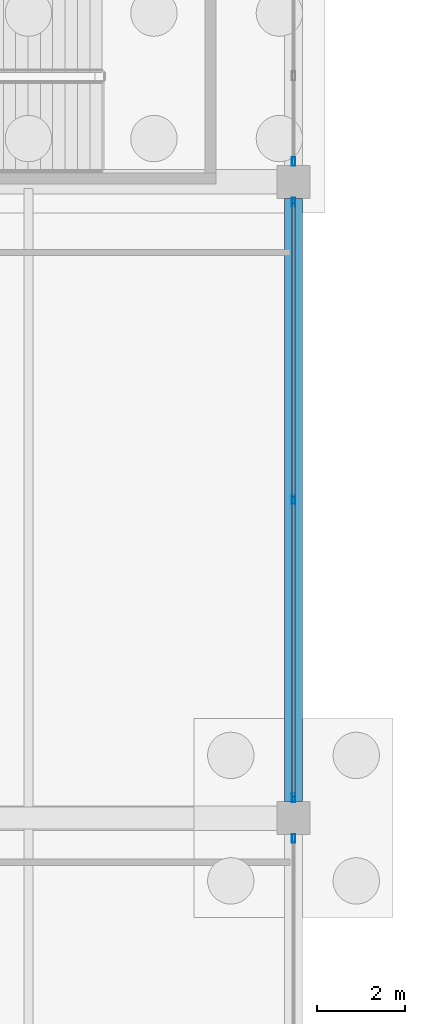
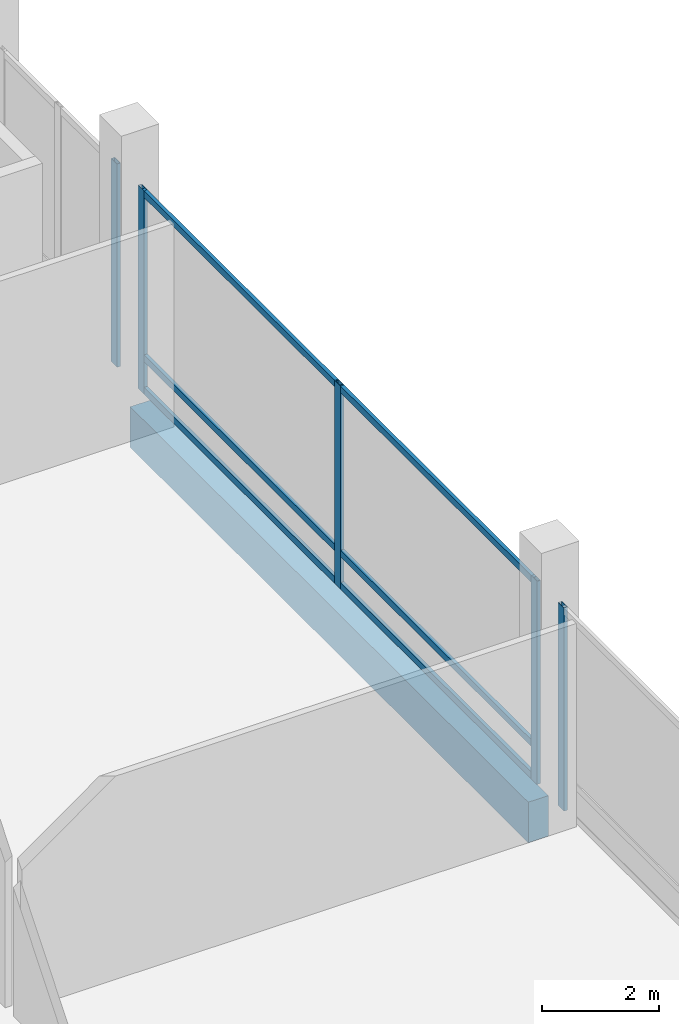
# One storey, part 113 of 192: 11 members, 1 beam, 3 elements without a shape of their own.
"""IFC4 building model written with IfcOpenShell, lengths in metres."""

from ifc_helpers import new_model, si_unit, direction, frame, origin, origin_2d, place, context, subcontext, project, spatial, rectangle, hollow_rectangle, extrude, material, material_profile, profile_set, type_object, element, aggregate, save


model = new_model("IFC4")

# Units and contexts
model_context = context("Model", 3, precision=1e-05, world=origin(), true_north=direction((0.0, 1.0)))
body_context = subcontext(model_context, "Body", "Model", "MODEL_VIEW")
ifc_project = project(units=[si_unit("LENGTHUNIT", "METRE"), si_unit("AREAUNIT", "SQUARE_METRE"), si_unit("VOLUMEUNIT", "CUBIC_METRE"), si_unit("PLANEANGLEUNIT", "RADIAN"), si_unit("MASSUNIT", "GRAM", prefix="KILO")], contexts=[model_context])

# Site, building, storey
site_placement = place(None, origin())
site = spatial("IfcSite", under=ifc_project, at=site_placement, CompositionType="ELEMENT")
building_placement = place(site_placement, origin())
building = spatial("IfcBuilding", under=site, at=building_placement, Name="Cendralis Lancet Convention Centre", CompositionType="ELEMENT")
storey_placement = place(building_placement, origin())
storey = spatial("IfcBuildingStorey", under=building, at=storey_placement, Name="L00", CompositionType="ELEMENT", Elevation=0.0)

# Curtain wall, member
ifc_material_1 = material(Name="Anodised bronze architectural aluminium", Category="aluminium")
curtain_wall_type = type_object("IfcCurtainWallType", Name="ARC-CW-PL01", PredefinedType="USERDEFINED", material=ifc_material_1)
curtain_wall_1_placement = place(storey_placement, origin())
curtain_wall_1 = element("IfcCurtainWall", 1, at=curtain_wall_1_placement, inside=storey, type_object=curtain_wall_type, Name="L00 Curtain Wall CW-PL1 #113", ObjectType="CURTAIN WALL", PredefinedType="USERDEFINED")
ifc_material_profile_1 = material_profile(ifc_material_1, hollow_rectangle(XDim=0.070068359375, YDim=0.199951171875, WallThickness=0.0048828125, at=origin_2d()), Name="AL-MULL 70x200x5.0")
ifc_profile_set_1 = profile_set([ifc_material_profile_1], Name="Anodised bronze architectural aluminium")
member_type_1 = type_object("IfcMemberType", Name="ARC-CW-ML02", PredefinedType="MULLION", material=ifc_profile_set_1)
member_1_placement = place(storey_placement, frame((208.800048828125, 64.340087890625, 0.0), z_axis=(0.0, 0.0, 1.0), x_axis=(1.0, 0.0, 0.0)))
member_1 = element("IfcMember", 2, at=member_1_placement, type_object=member_type_1, Name="Mullion CW2-CW-PL1-L00-113-M0", PredefinedType="MULLION", context=body_context, shape_type="SweptSolid", body=[
    extrude(hollow_rectangle(XDim=0.070068359375, YDim=0.199951171875, WallThickness=0.0048828125, at=origin_2d()), origin(), (0.0, 0.0, 1.0), 4.2548828125),
])
aggregate(curtain_wall_1, [member_1])

# Curtain wall, members
curtain_wall_2_placement = place(storey_placement, origin())
curtain_wall_2 = element("IfcCurtainWall", 3, at=curtain_wall_2_placement, inside=storey, type_object=curtain_wall_type, Name="L00 Curtain Wall CW-PL1 #114", ObjectType="CURTAIN WALL", PredefinedType="USERDEFINED")
member_2_placement = place(storey_placement, frame((208.800048828125, 78.739990234375, 0.0), z_axis=(0.0, 0.0, 1.0), x_axis=(1.0, 0.0, 0.0)))
member_2 = element("IfcMember", 4, at=member_2_placement, type_object=member_type_1, Name="Mullion CW2-CW-PL1-L00-114-M0", PredefinedType="MULLION", context=body_context, shape_type="SweptSolid", body=[
    extrude(hollow_rectangle(XDim=0.070068359375, YDim=0.199951171875, WallThickness=0.0048828125, at=origin_2d()), origin(), (0.0, 0.0, 1.0), 4.2548828125),
])
member_3_placement = place(storey_placement, frame((208.800048828125, 72.0, 0.0), z_axis=(0.0, 0.0, 1.0), x_axis=(1.0, 0.0, 0.0)))
member_3 = element("IfcMember", 5, at=member_3_placement, type_object=member_type_1, Name="Mullion CW2-CW-PL1-L00-114-M1", PredefinedType="MULLION", context=body_context, shape_type="SweptSolid", body=[
    extrude(hollow_rectangle(XDim=0.070068359375, YDim=0.199951171875, WallThickness=0.0048828125, at=origin_2d()), origin(), (0.0, 0.0, 1.0), 4.2548828125),
])
member_4_placement = place(storey_placement, frame((208.800048828125, 65.260009765625, 0.0), z_axis=(0.0, 0.0, 1.0), x_axis=(1.0, 0.0, 0.0)))
member_4 = element("IfcMember", 6, at=member_4_placement, type_object=member_type_1, Name="Mullion CW2-CW-PL1-L00-114-M2", PredefinedType="MULLION", context=body_context, shape_type="SweptSolid", body=[
    extrude(hollow_rectangle(XDim=0.070068359375, YDim=0.199951171875, WallThickness=0.0048828125, at=origin_2d()), origin(), (0.0, 0.0, 1.0), 4.2548828125),
])

# Curtain wall, member
curtain_wall_3_placement = place(storey_placement, origin())
curtain_wall_3 = element("IfcCurtainWall", 7, at=curtain_wall_3_placement, inside=storey, type_object=curtain_wall_type, Name="L00 Curtain Wall CW-PL1 #115", ObjectType="CURTAIN WALL", PredefinedType="USERDEFINED")
member_5_placement = place(storey_placement, frame((208.800048828125, 79.659912109375, 0.0), z_axis=(0.0, 0.0, 1.0), x_axis=(1.0, 0.0, 0.0)))
member_5 = element("IfcMember", 8, at=member_5_placement, type_object=member_type_1, Name="Mullion CW2-CW-PL1-L00-115-M2", PredefinedType="MULLION", context=body_context, shape_type="SweptSolid", body=[
    extrude(hollow_rectangle(XDim=0.070068359375, YDim=0.199951171875, WallThickness=0.0048828125, at=origin_2d()), origin(), (0.0, 0.0, 1.0), 4.2548828125),
])
aggregate(curtain_wall_3, [member_5])

# Member
ifc_material_profile_2 = material_profile(ifc_material_1, hollow_rectangle(XDim=0.070068359375, YDim=0.139892578125, WallThickness=0.00390625, at=origin_2d()), Name="AL-TRAN 70x140x4.0")
ifc_profile_set_2 = profile_set([ifc_material_profile_2], Name="Anodised bronze architectural aluminium")
member_type_2 = type_object("IfcMemberType", Name="ARC-CW-TR02", PredefinedType="USERDEFINED", material=ifc_profile_set_2)
member_6_placement = place(storey_placement, frame((208.800048828125, 78.705078125, 0.070068359375), z_axis=(0.0, -1.0, 0.0), x_axis=(1.0, 0.0, 0.0)))
member_6 = element("IfcMember", 9, at=member_6_placement, type_object=member_type_2, Name="Transom CW2-CW-PL1-L00-114-T0BOT", ObjectType="TRANSOM", PredefinedType="USERDEFINED", context=body_context, shape_type="SweptSolid", body=[
    extrude(hollow_rectangle(XDim=0.070068359375, YDim=0.139892578125, WallThickness=0.00390625, at=origin_2d()), origin(), (0.0, 0.0, 1.0), 6.635009765625),
])

member_7_placement = place(storey_placement, frame((208.800048828125, 78.705078125, 0.75), z_axis=(0.0, -1.0, 0.0), x_axis=(1.0, 0.0, 0.0)))
member_7 = element("IfcMember", 10, at=member_7_placement, type_object=member_type_2, Name="Transom CW2-CW-PL1-L00-114-T0MID", ObjectType="TRANSOM", PredefinedType="USERDEFINED", context=body_context, shape_type="SweptSolid", body=[
    extrude(hollow_rectangle(XDim=0.070068359375, YDim=0.139892578125, WallThickness=0.00390625, at=origin_2d()), origin(), (0.0, 0.0, 1.0), 6.635009765625),
])

member_8_placement = place(storey_placement, frame((208.800048828125, 78.705078125, 4.18505859375), z_axis=(0.0, -1.0, 0.0), x_axis=(1.0, 0.0, 0.0)))
member_8 = element("IfcMember", 11, at=member_8_placement, type_object=member_type_2, Name="Transom CW2-CW-PL1-L00-114-T0TOP", ObjectType="TRANSOM", PredefinedType="USERDEFINED", context=body_context, shape_type="SweptSolid", body=[
    extrude(hollow_rectangle(XDim=0.070068359375, YDim=0.139892578125, WallThickness=0.00390625, at=origin_2d()), origin(), (0.0, 0.0, 1.0), 6.635009765625),
])

member_9_placement = place(storey_placement, frame((208.800048828125, 71.929931640625, 0.070068359375), z_axis=(0.0, -1.0, 0.0), x_axis=(1.0, 0.0, 0.0)))
member_9 = element("IfcMember", 12, at=member_9_placement, type_object=member_type_2, Name="Transom CW2-CW-PL1-L00-114-T1BOT", ObjectType="TRANSOM", PredefinedType="USERDEFINED", context=body_context, shape_type="SweptSolid", body=[
    extrude(hollow_rectangle(XDim=0.070068359375, YDim=0.139892578125, WallThickness=0.00390625, at=origin_2d()), origin(), (0.0, 0.0, 1.0), 6.635009765625),
])

member_10_placement = place(storey_placement, frame((208.800048828125, 71.929931640625, 0.75), z_axis=(0.0, -1.0, 0.0), x_axis=(1.0, 0.0, 0.0)))
member_10 = element("IfcMember", 13, at=member_10_placement, type_object=member_type_2, Name="Transom CW2-CW-PL1-L00-114-T1MID", ObjectType="TRANSOM", PredefinedType="USERDEFINED", context=body_context, shape_type="SweptSolid", body=[
    extrude(hollow_rectangle(XDim=0.070068359375, YDim=0.139892578125, WallThickness=0.00390625, at=origin_2d()), origin(), (0.0, 0.0, 1.0), 6.635009765625),
])

member_11_placement = place(storey_placement, frame((208.800048828125, 71.929931640625, 4.18505859375), z_axis=(0.0, -1.0, 0.0), x_axis=(1.0, 0.0, 0.0)))
member_11 = element("IfcMember", 14, at=member_11_placement, type_object=member_type_2, Name="Transom CW2-CW-PL1-L00-114-T1TOP", ObjectType="TRANSOM", PredefinedType="USERDEFINED", context=body_context, shape_type="SweptSolid", body=[
    extrude(hollow_rectangle(XDim=0.070068359375, YDim=0.139892578125, WallThickness=0.00390625, at=origin_2d()), origin(), (0.0, 0.0, 1.0), 6.635009765625),
])

aggregate(curtain_wall_2, [member_2, member_3, member_4, member_6, member_7, member_8, member_9, member_10, member_11])

# Beam
ifc_material_2 = material(Name="Concrete G40 (C40/50)", Category="concrete")
ifc_material_profile_3 = material_profile(ifc_material_2, rectangle(XDim=0.39990234375, YDim=0.85009765625, at=origin_2d()), Name="RCB 400x850")
ifc_profile_set_3 = profile_set([ifc_material_profile_3], Name="Concrete G40 (C40/50)")
beam_type = type_object("IfcBeamType", Name="STR-SP-SP02", PredefinedType="SPANDREL", material=ifc_profile_set_3)
beam_placement = place(storey_placement, frame((208.800048828125, 65.175048828125, -0.7451171875), z_axis=(0.0, 1.0, 0.0), x_axis=(-1.0, 0.0, 0.0)))
element("IfcBeam", 15, at=beam_placement, inside=storey, type_object=beam_type, Name="L00 Beam SP02 #1384", PredefinedType="SPANDREL", context=body_context, shape_type="SweptSolid", body=[
    extrude(rectangle(XDim=0.39990234375, YDim=0.85009765625, at=origin_2d()), origin(), (0.0, 0.0, 1.0), 13.64990234375),
])

save(model, "model.ifc")
